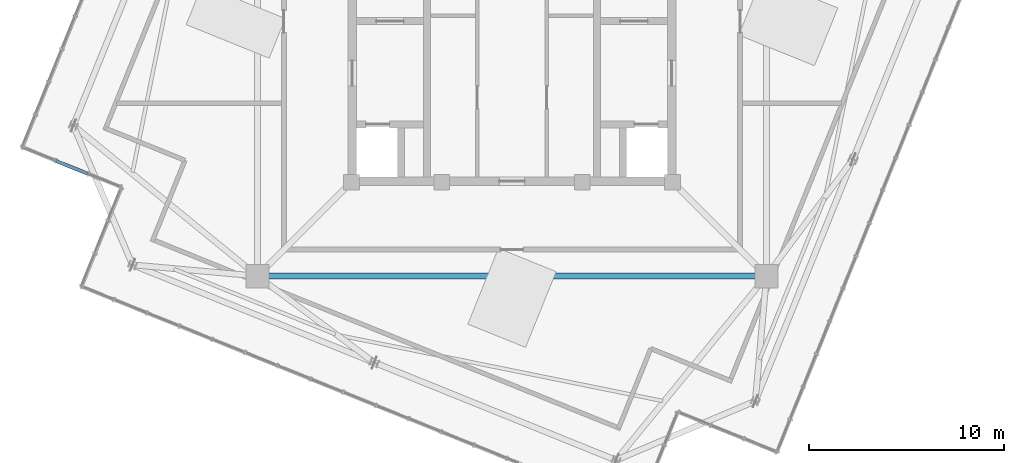
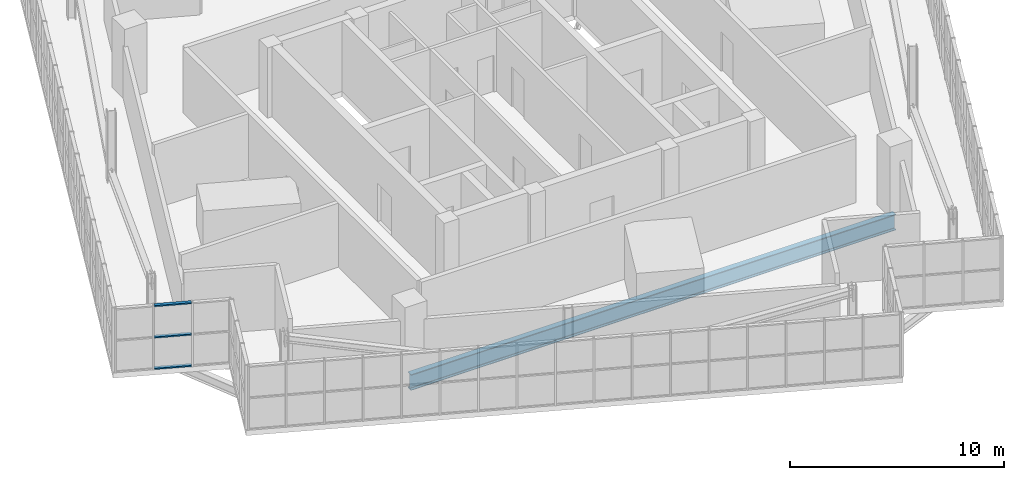
# One storey, part 5 of 26: 3 members, 1 beam, 1 element without a shape of its own.
"""IFC4 building model written with IfcOpenShell, lengths in metres."""

from ifc_helpers import new_model, si_unit, direction, frame, origin, origin_2d, place, context, subcontext, project, spatial, hollow_rectangle, i_section, extrude, source, transform, mapped, material, layer, layer_set, material_profile, profile_set, type_object, element, aggregate, save


model = new_model("IFC4")

# Units and contexts
model_context = context("Model", 3, precision=1e-05, world=origin(), true_north=direction((0.0, 1.0)))
body_context = subcontext(model_context, "Body", "Model", "MODEL_VIEW")
ifc_project = project(units=[si_unit("LENGTHUNIT", "METRE"), si_unit("AREAUNIT", "SQUARE_METRE"), si_unit("VOLUMEUNIT", "CUBIC_METRE"), si_unit("PLANEANGLEUNIT", "RADIAN"), si_unit("MASSUNIT", "GRAM", prefix="KILO"), si_unit("THERMODYNAMICTEMPERATUREUNIT", "KELVIN")], contexts=[model_context])

# Site, building, storey
site_placement = place(None, origin())
site = spatial("IfcSite", under=ifc_project, at=site_placement, CompositionType="ELEMENT")
building_placement = place(site_placement, origin())
building = spatial("IfcBuilding", under=site, at=building_placement, Name="Kosmvard Interchange Tower", CompositionType="ELEMENT")
storey_placement = place(building_placement, frame((0.0, 0.0, 341.60009765625)))
storey = spatial("IfcBuildingStorey", under=building, at=storey_placement, Name="L84", CompositionType="ELEMENT", Elevation=341.60009765625)

# Beam
ifc_material_1 = material(Name="Steel S355", Category="steel")
ifc_material_profile_1 = material_profile(ifc_material_1, i_section(OverallWidth=0.300048828125, OverallDepth=0.89990234375, WebThickness=0.0185546875, FlangeThickness=0.034912109375, FilletRadius=0.030029296875, at=origin_2d()), Name="HEB 900")
ifc_profile_set_1 = profile_set([ifc_material_profile_1], Name="Steel S355")
beam_type = type_object("IfcBeamType", Name="Mega-Column Ring Girder HEB 900 S355", PredefinedType="BEAM", material=ifc_profile_set_1)
shared_shape_1 = source(origin(), body_context, "Body", "SweptSolid", [
    extrude(i_section(OverallWidth=0.300048828125, OverallDepth=0.89990234375, WebThickness=0.0185546875, FlangeThickness=0.034912109375, FilletRadius=0.030029296875, at=origin_2d()), origin(), (0.0, 0.0, 1.0), 26.162109375),
])
beam_placement = place(storey_placement, frame((-13.0810546875, -13.0810546875, -0.75), z_axis=(1.0, 0.0, 0.0), x_axis=(0.0, 1.0, 0.0)))
element("IfcBeam", 1, at=beam_placement, inside=storey, type_object=beam_type, Name="L84 Mega-Column Ring Girder 1", PredefinedType="BEAM", context=body_context, shape_type="MappedRepresentation", body=[
    mapped(shared_shape_1, transform((0.0, 0.0, 0.0), scale=1.0)),
])

# Curtain wall, members
ifc_material_2 = material(Name="Architectural anodised aluminium", Category="aluminium")
ifc_layer = layer(ifc_material_2, 0.25, Name="Architectural anodised aluminium")
ifc_layer_set = layer_set([ifc_layer], Name="Architectural anodised aluminium")
curtain_wall_type = type_object("IfcCurtainWallType", Name="CW-6 Illuminated Crown Lantern Curtain Wall", PredefinedType="NOTDEFINED", material=ifc_layer_set)
curtain_wall_placement = place(storey_placement, origin())
curtain_wall = element("IfcCurtainWall", 2, at=curtain_wall_placement, inside=storey, type_object=curtain_wall_type, Name="L84 Crown Lantern Glazing Face 08", PredefinedType="NOTDEFINED")
ifc_material_profile_2 = material_profile(ifc_material_2, hollow_rectangle(XDim=0.179931640625, YDim=0.070068359375, WallThickness=0.0048828125, at=origin_2d()), Name="CWT 180x70x5")
ifc_profile_set_2 = profile_set([ifc_material_profile_2], Name="Architectural anodised aluminium")
member_type = type_object("IfcMemberType", Name="Heavy Lantern CW Transom 180x70 Aluminium", PredefinedType="USERDEFINED", material=ifc_profile_set_2)
shared_shape_2 = source(origin(), body_context, "Body", "SweptSolid", [
    extrude(hollow_rectangle(XDim=0.179931640625, YDim=0.070068359375, WallThickness=0.0048828125, at=origin_2d()), origin(), (0.0, 0.0, 1.0), 1.75341796875),
])
member_1_placement = place(storey_placement, frame((-23.436279296875, -7.162109375, 0.034912109375), z_axis=(0.927155350429, -0.374677135907, 0.0), x_axis=(0.374677135907, 0.927155350429, 0.0)))
member_1 = element("IfcMember", 3, at=member_1_placement, type_object=member_type, Name="CW-6 transom 2.1", ObjectType="TRANSOM", PredefinedType="USERDEFINED", context=body_context, shape_type="MappedRepresentation", body=[
    mapped(shared_shape_2, transform((0.0, 0.0, 0.0), scale=1.0)),
])
member_2_placement = place(storey_placement, frame((-23.436279296875, -7.162109375, 1.824951171875), z_axis=(0.927155350429, -0.374677135907, 0.0), x_axis=(0.374677135907, 0.927155350429, 0.0)))
member_2 = element("IfcMember", 4, at=member_2_placement, type_object=member_type, Name="CW-6 transom 2.2", ObjectType="TRANSOM", PredefinedType="USERDEFINED", context=body_context, shape_type="MappedRepresentation", body=[
    mapped(shared_shape_2, transform((0.0, 0.0, 0.0), scale=1.0)),
])
member_3_placement = place(storey_placement, frame((-23.436279296875, -7.162109375, 3.614990234375), z_axis=(0.927155350429, -0.374677135907, 0.0), x_axis=(0.374677135907, 0.927155350429, 0.0)))
member_3 = element("IfcMember", 5, at=member_3_placement, type_object=member_type, Name="CW-6 transom 2.3", ObjectType="TRANSOM", PredefinedType="USERDEFINED", context=body_context, shape_type="MappedRepresentation", body=[
    mapped(shared_shape_2, transform((0.0, 0.0, 0.0), scale=1.0)),
])
aggregate(curtain_wall, [member_1, member_2, member_3])

save(model, "model.ifc")
